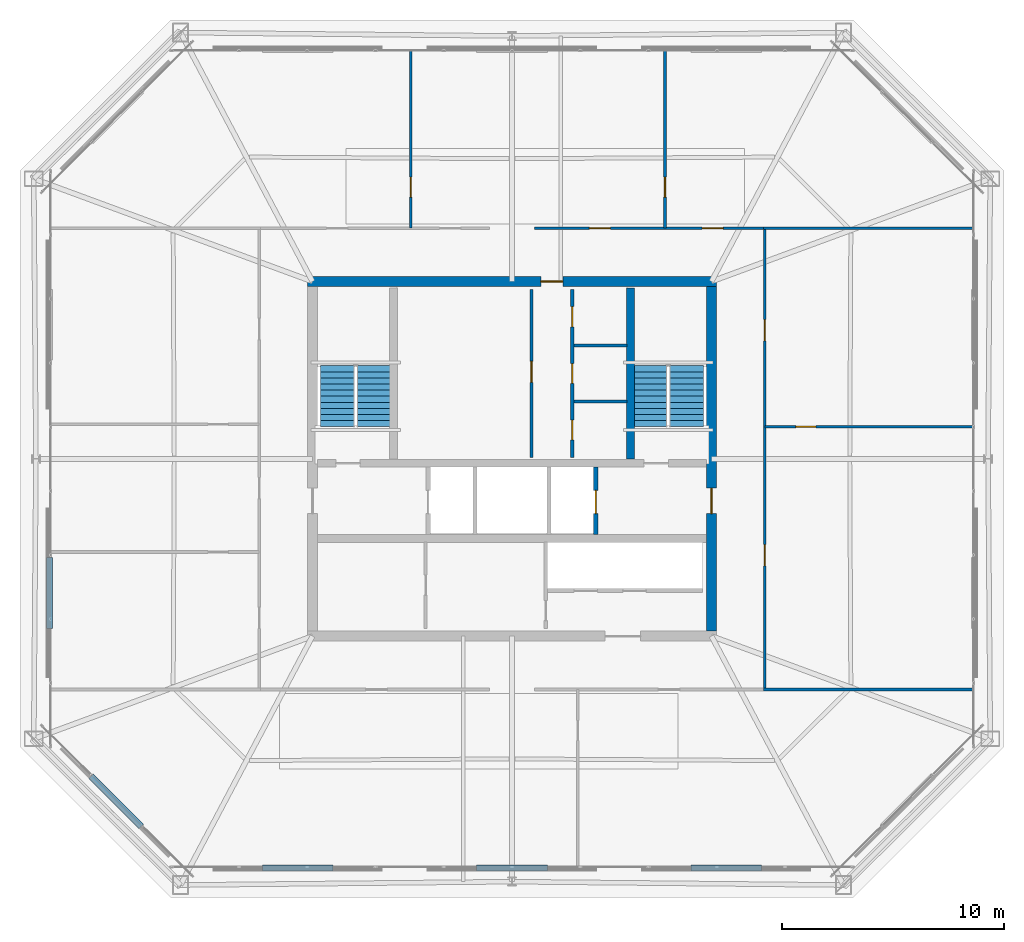
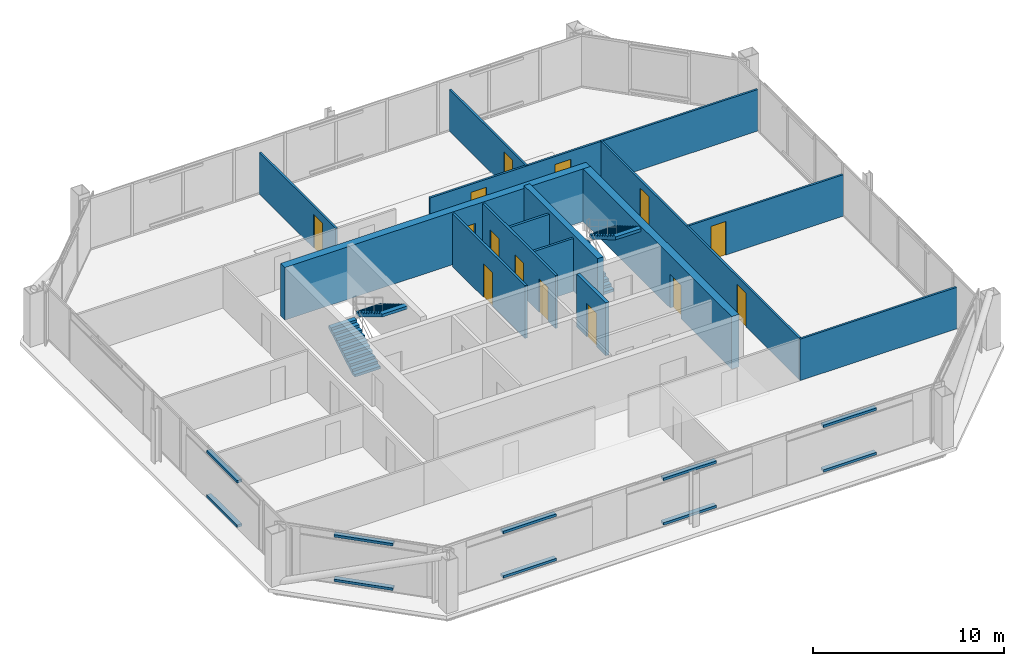
# One storey, part 36 of 39: 15 walls, 14 doors, 10 discrete accessories, 4 stair flights, 14 openings, 2 elements without a shape of their own.
"""IFC4 building model written with IfcOpenShell, lengths in metres."""

from ifc_helpers import new_model, si_unit, direction, frame, frame_2d, origin, origin_2d, place, context, subcontext, project, spatial, polyline, rectangle, outline, extrude, material, layer, layer_set, type_object, element, fill, aggregate, save


model = new_model("IFC4")

# Units and contexts
model_context = context("Model", 3, precision=1e-05, world=origin(), true_north=direction((0.0, 1.0)))
body_context = subcontext(model_context, "Body", "Model", "MODEL_VIEW")
ifc_project = project(units=[si_unit("LENGTHUNIT", "METRE"), si_unit("AREAUNIT", "SQUARE_METRE"), si_unit("VOLUMEUNIT", "CUBIC_METRE"), si_unit("PLANEANGLEUNIT", "RADIAN"), si_unit("MASSUNIT", "GRAM", prefix="KILO")], contexts=[model_context])

# Site, building, storey
site_placement = place(None, origin())
site = spatial("IfcSite", under=ifc_project, at=site_placement, CompositionType="ELEMENT")
building_placement = place(site_placement, origin())
building = spatial("IfcBuilding", under=site, at=building_placement, Name="Caelvoria Tower", CompositionType="ELEMENT")
storey_placement = place(building_placement, frame((0.0, 0.0, 198.60009765625)))
storey = spatial("IfcBuildingStorey", under=building, at=storey_placement, Name="L52", CompositionType="ELEMENT", Elevation=198.60009765625)

# Wall
ifc_material_1 = material(Name="Concrete C50/60", Category="concrete")
ifc_layer_1 = layer(ifc_material_1, 0.35009765625, Name="Concrete C50/60")
ifc_layer_set_1 = layer_set([ifc_layer_1], Name="Core Internal Shear Wall 350 - Concrete C50/60")
wall_type_1 = type_object("IfcWallType", Name="Core Internal Shear Wall 350", PredefinedType="SHEAR", material=ifc_layer_set_1)
wall_1_placement = place(storey_placement, frame((51.35009765625, 32.0, 0.0), z_axis=(0.0, 0.0, 1.0), x_axis=(0.0, 1.0, 0.0)))
element("IfcWall", 1, at=wall_1_placement, inside=storey, type_object=wall_type_1, Name="Interior Partition IW-L52-ST2W", PredefinedType="SHEAR", context=body_context, shape_type="SweptSolid", body=[
    extrude(rectangle(XDim=7.699951171875, YDim=0.35009765625, at=frame_2d((3.85009765625, 0.0))), origin(), (0.0, 0.0, 1.0), 3.599853515625),
])

# Wall, opening, door
ifc_material_2 = material(Name="Moisture-Resistant Gypsum on Steel Stud", Category="steel")
ifc_layer_2 = layer(ifc_material_2, 0.139892578125, Name="Moisture-Resistant Gypsum on Steel Stud")
ifc_layer_set_2 = layer_set([ifc_layer_2], Name="Core Sanitary Acoustic Partition Wall 140 - Moisture-Resistant Gypsum on Steel Stud")
wall_type_2 = type_object("IfcWallType", Name="Core Sanitary Acoustic Partition Wall 140", PredefinedType="PARTITIONING", material=ifc_layer_set_2)
wall_2_placement = place(storey_placement, frame((46.8798828125, 32.050048828125, 0.0), z_axis=(0.0, 0.0, 1.0), x_axis=(0.0, 1.0, 0.0)))
wall_2 = element("IfcWall", 2, at=wall_2_placement, inside=storey, type_object=wall_type_2, Name="Interior Partition IW-L52-C2L", PredefinedType="PARTITIONING", context=body_context, shape_type="SweptSolid", body=[
    extrude(rectangle(XDim=7.599853515625, YDim=0.139892578125, at=frame_2d((3.7998046875, 0.0))), origin(), (0.0, 0.0, 1.0), 3.375),
])
opening_1_placement = place(wall_2_placement, frame((3.39990234375, 0.0, 0.0)))
opening_1 = element("IfcOpeningElement", 3, at=opening_1_placement, cuts=wall_2, Name="Opening ID-05", PredefinedType="OPENING", context=body_context, shape_type="SweptSolid", body=[
    extrude(rectangle(XDim=0.949951171875, YDim=2.14990234375, at=frame_2d((0.47509765625, 1.074951171875))), frame((0.0, 0.079833984375, 0.0), z_axis=(0.0, -1.0, 0.0), x_axis=(1.0, 0.0, 0.0)), (0.0, 0.0, 1.0), 0.159912109375),
])
ifc_material_3 = material(Name="Engineered Andean Oak Veneer Door", Category="wood")
door_type_1 = type_object("IfcDoorType", Name="Interior Timber Door 950x2150", OperationType="NOTDEFINED", PredefinedType="DOOR", material=ifc_material_3)
door_1_placement = place(opening_1_placement, origin())
door_1 = element("IfcDoor", 4, at=door_1_placement, inside=storey, type_object=door_type_1, Name="Interior Door DR-L52-C2W", OperationType="SINGLE_SWING_LEFT", OverallHeight=2.14990234375, OverallWidth=0.949951171875, PredefinedType="DOOR", context=body_context, shape_type="SweptSolid", body=[
    extrude(rectangle(XDim=0.949951171875, YDim=2.14990234375, at=frame_2d((0.47509765625, 1.074951171875))), frame((0.0, 0.02490234375, 0.0), z_axis=(0.0, -1.0, 0.0), x_axis=(1.0, 0.0, 0.0)), (0.0, 0.0, 1.0), 0.050048828125),
])
fill(opening_1, door_1)

# Wall, openings, doors
wall_3_placement = place(storey_placement, frame((48.719970703125, 32.050048828125, 0.0), z_axis=(0.0, 0.0, 1.0), x_axis=(0.0, 1.0, 0.0)))
wall_3 = element("IfcWall", 5, at=wall_3_placement, inside=storey, type_object=wall_type_2, Name="Interior Partition IW-L52-C2R", PredefinedType="PARTITIONING", context=body_context, shape_type="SweptSolid", body=[
    extrude(rectangle(XDim=7.599853515625, YDim=0.139892578125, at=frame_2d((3.7998046875, 0.0))), origin(), (0.0, 0.0, 1.0), 3.375),
])
opening_2_placement = place(wall_3_placement, frame((0.800048828125, 0.0, 0.0)))
opening_2 = element("IfcOpeningElement", 6, at=opening_2_placement, cuts=wall_3, Name="Opening ID-04", PredefinedType="OPENING", context=body_context, shape_type="SweptSolid", body=[
    extrude(rectangle(XDim=0.89990234375, YDim=2.14990234375, at=frame_2d((0.449951171875, 1.074951171875))), frame((0.0, 0.079833984375, 0.0), z_axis=(0.0, -1.0, 0.0), x_axis=(1.0, 0.0, 0.0)), (0.0, 0.0, 1.0), 0.159912109375),
])
opening_3_placement = place(wall_3_placement, frame((3.35009765625, 0.0, 0.0)))
opening_3 = element("IfcOpeningElement", 7, at=opening_3_placement, cuts=wall_3, Name="Opening ID-06", PredefinedType="OPENING", context=body_context, shape_type="SweptSolid", body=[
    extrude(rectangle(XDim=0.89990234375, YDim=2.14990234375, at=frame_2d((0.449951171875, 1.074951171875))), frame((0.0, 0.079833984375, 0.0), z_axis=(0.0, -1.0, 0.0), x_axis=(1.0, 0.0, 0.0)), (0.0, 0.0, 1.0), 0.159912109375),
])
opening_4_placement = place(wall_3_placement, frame((5.89990234375, 0.0, 0.0)))
opening_4 = element("IfcOpeningElement", 8, at=opening_4_placement, cuts=wall_3, Name="Opening ID-07", PredefinedType="OPENING", context=body_context, shape_type="SweptSolid", body=[
    extrude(rectangle(XDim=0.919921875, YDim=2.14990234375, at=frame_2d((0.4599609375, 1.074951171875))), frame((0.0, 0.079833984375, 0.0), z_axis=(0.0, -1.0, 0.0), x_axis=(1.0, 0.0, 0.0)), (0.0, 0.0, 1.0), 0.159912109375),
])
ifc_material_4 = material(Name="Engineered Andean Oak Accessible Door", Category="wood")
door_type_2 = type_object("IfcDoorType", Name="Accessible WC Door 950x2150", OperationType="NOTDEFINED", PredefinedType="DOOR", material=ifc_material_4)
door_2_placement = place(opening_4_placement, origin())
door_2 = element("IfcDoor", 9, at=door_2_placement, inside=storey, type_object=door_type_2, Name="Interior Door DR-L52-C2E3", OperationType="SINGLE_SWING_RIGHT", OverallHeight=2.14990234375, OverallWidth=0.919921875, PredefinedType="DOOR", context=body_context, shape_type="SweptSolid", body=[
    extrude(rectangle(XDim=0.919921875, YDim=2.14990234375, at=frame_2d((0.4599609375, 1.074951171875))), frame((0.0, 0.02490234375, 0.0), z_axis=(0.0, -1.0, 0.0), x_axis=(1.0, 0.0, 0.0)), (0.0, 0.0, 1.0), 0.050048828125),
])
fill(opening_4, door_2)
ifc_material_5 = material(Name="Acoustic Timber Fire Door", Category="wood")
door_type_3 = type_object("IfcDoorType", Name="Fire Door FD30S 900x2150", OperationType="NOTDEFINED", PredefinedType="DOOR", material=ifc_material_5)
door_3_placement = place(opening_2_placement, origin())
door_3 = element("IfcDoor", 10, at=door_3_placement, inside=storey, type_object=door_type_3, Name="Interior Door DR-L52-C2E1", OperationType="SINGLE_SWING_RIGHT", OverallHeight=2.14990234375, OverallWidth=0.89990234375, PredefinedType="DOOR", context=body_context, shape_type="SweptSolid", body=[
    extrude(rectangle(XDim=0.89990234375, YDim=2.14990234375, at=frame_2d((0.449951171875, 1.074951171875))), frame((0.0, 0.02490234375, 0.0), z_axis=(0.0, -1.0, 0.0), x_axis=(1.0, 0.0, 0.0)), (0.0, 0.0, 1.0), 0.050048828125),
])
fill(opening_2, door_3)
door_type_4 = type_object("IfcDoorType", Name="Interior Timber Door 900x2150", OperationType="NOTDEFINED", PredefinedType="DOOR", material=ifc_material_3)
door_4_placement = place(opening_3_placement, origin())
door_4 = element("IfcDoor", 11, at=door_4_placement, inside=storey, type_object=door_type_4, Name="Interior Door DR-L52-C2E2", OperationType="SINGLE_SWING_LEFT", OverallHeight=2.14990234375, OverallWidth=0.89990234375, PredefinedType="DOOR", context=body_context, shape_type="SweptSolid", body=[
    extrude(rectangle(XDim=0.89990234375, YDim=2.14990234375, at=frame_2d((0.449951171875, 1.074951171875))), frame((0.0, 0.02490234375, 0.0), z_axis=(0.0, -1.0, 0.0), x_axis=(1.0, 0.0, 0.0)), (0.0, 0.0, 1.0), 0.050048828125),
])
fill(opening_3, door_4)

# Walls
for number, where, z_axis, x_axis, name in (
    (12, (48.800048828125, 34.580078125, 0.0), (0.0, 0.0, 1.0), (1.0, 0.0, 0.0), "Interior Partition IW-L52-C2H1"),
    (13, (48.800048828125, 37.1201171875, 0.0), (0.0, 0.0, 1.0), (1.0, 0.0, 0.0), "Interior Partition IW-L52-C2H2"),
):
    element("IfcWall", number, at=place(storey_placement, frame(where, z_axis=z_axis, x_axis=x_axis)), inside=storey, type_object=wall_type_2, Name=name, PredefinedType="PARTITIONING", context=body_context, shape_type="SweptSolid", body=[
        extrude(rectangle(XDim=2.39990234375, YDim=0.139892578125, at=frame_2d((1.199951171875, 0.0))), origin(), (0.0, 0.0, 1.0), 3.375),
    ])

# Wall, opening, door
ifc_material_6 = material(Name="Concrete Block and Fireboard Assembly", Category="concrete")
ifc_layer_3 = layer(ifc_material_6, 0.199951171875, Name="Concrete Block and Fireboard Assembly")
ifc_layer_set_3 = layer_set([ifc_layer_3], Name="Fire-Rated Shaft and Core Partition Wall 200 - Concrete Block and Fireboard Assembly")
wall_type_3 = type_object("IfcWallType", Name="Fire-Rated Shaft and Core Partition Wall 200", PredefinedType="PARTITIONING", material=ifc_layer_set_3)
wall_4_placement = place(storey_placement, frame((49.780029296875, 28.580078125, 0.0), z_axis=(0.0, 0.0, 1.0), x_axis=(0.0, 1.0, 0.0)))
wall_4 = element("IfcWall", 14, at=wall_4_placement, inside=storey, type_object=wall_type_3, Name="Interior Partition IW-L52-LF2E", PredefinedType="PARTITIONING", context=body_context, shape_type="SweptSolid", body=[
    extrude(rectangle(XDim=3.0400390625, YDim=0.199951171875, at=frame_2d((1.52001953125, 0.0))), origin(), (0.0, 0.0, 1.0), 3.375),
])
opening_5_placement = place(wall_4_placement, frame((0.949951171875, 0.0, 0.0)))
opening_5 = element("IfcOpeningElement", 15, at=opening_5_placement, cuts=wall_4, Name="Opening LD-01", PredefinedType="OPENING", context=body_context, shape_type="SweptSolid", body=[
    extrude(rectangle(XDim=1.050048828125, YDim=2.14990234375, at=frame_2d((0.52490234375, 1.074951171875))), frame((0.0, 0.10986328125, 0.0), z_axis=(0.0, -1.0, 0.0), x_axis=(1.0, 0.0, 0.0)), (0.0, 0.0, 1.0), 0.219970703125),
])
ifc_material_7 = material(Name="Brushed Bronze Stainless Sliding Landing Door", Category="aluminium")
door_type_5 = type_object("IfcDoorType", Name="Lift Landing Sliding Door 1100x2150", OperationType="NOTDEFINED", PredefinedType="DOOR", material=ifc_material_7)
door_5_placement = place(opening_5_placement, origin())
door_5 = element("IfcDoor", 16, at=door_5_placement, inside=storey, type_object=door_type_5, Name="Interior Door LD-L52-LF2", OperationType="SLIDING_TO_RIGHT", OverallHeight=2.14990234375, OverallWidth=1.050048828125, PredefinedType="DOOR", context=body_context, shape_type="SweptSolid", body=[
    extrude(rectangle(XDim=1.050048828125, YDim=2.14990234375, at=frame_2d((0.52490234375, 1.074951171875))), frame((0.0, 0.02490234375, 0.0), z_axis=(0.0, -1.0, 0.0), x_axis=(1.0, 0.0, 0.0)), (0.0, 0.0, 1.0), 0.050048828125),
])
fill(opening_5, door_5)

ifc_material_8 = material(Name="Acoustic Gypsum Board on Light-Gauge Stud", Category="gypsum")
ifc_layer_4 = layer(ifc_material_8, 0.1201171875, Name="Acoustic Gypsum Board on Light-Gauge Stud")
ifc_layer_set_4 = layer_set([ifc_layer_4], Name="Tenant Suite Acoustic Partition Wall 120 - Acoustic Gypsum Board on Light-Gauge Stud")
wall_type_4 = type_object("IfcWallType", Name="Tenant Suite Acoustic Partition Wall 120", PredefinedType="PARTITIONING", material=ifc_layer_set_4)
wall_5_placement = place(storey_placement, frame((41.427734375, 42.409912109375, 0.0), z_axis=(0.0, 0.0, 1.0), x_axis=(0.0, 1.0, 0.0)))
wall_5 = element("IfcWall", 17, at=wall_5_placement, inside=storey, type_object=wall_type_4, Name="Interior Partition IW-L52-ND-00-0", PredefinedType="PARTITIONING", context=body_context, shape_type="SweptSolid", body=[
    extrude(rectangle(XDim=8.010009765625, YDim=0.1201171875, at=frame_2d((4.0048828125, 0.0))), origin(), (0.0, 0.0, 1.0), 2.65478515625),
])
opening_6_placement = place(wall_5_placement, frame((1.39990234375, 0.0, 0.0)))
opening_6 = element("IfcOpeningElement", 18, at=opening_6_placement, cuts=wall_5, Name="Opening ID-06", PredefinedType="OPENING", context=body_context, shape_type="SweptSolid", body=[
    extrude(rectangle(XDim=0.89990234375, YDim=2.14990234375, at=frame_2d((0.449951171875, 1.074951171875))), frame((0.0, 0.070068359375, 0.0), z_axis=(0.0, -1.0, 0.0), x_axis=(1.0, 0.0, 0.0)), (0.0, 0.0, 1.0), 0.14013671875),
])
door_6_placement = place(opening_6_placement, origin())
door_6 = element("IfcDoor", 19, at=door_6_placement, inside=storey, type_object=door_type_4, Name="Interior Door DR-L52-NM-00-0", OperationType="SINGLE_SWING_RIGHT", OverallHeight=2.14990234375, OverallWidth=0.89990234375, PredefinedType="DOOR", context=body_context, shape_type="SweptSolid", body=[
    extrude(rectangle(XDim=0.89990234375, YDim=2.14990234375, at=frame_2d((0.449951171875, 1.074951171875))), frame((0.0, 0.02490234375, 0.0), z_axis=(0.0, -1.0, 0.0), x_axis=(1.0, 0.0, 0.0)), (0.0, 0.0, 1.0), 0.050048828125),
])
fill(opening_6, door_6)

wall_6_placement = place(storey_placement, frame((52.9033203125, 42.409912109375, 0.0), z_axis=(0.0, 0.0, 1.0), x_axis=(0.0, 1.0, 0.0)))
wall_6 = element("IfcWall", 20, at=wall_6_placement, inside=storey, type_object=wall_type_4, Name="Interior Partition IW-L52-ND-02-0", PredefinedType="PARTITIONING", context=body_context, shape_type="SweptSolid", body=[
    extrude(rectangle(XDim=8.010009765625, YDim=0.1201171875, at=frame_2d((4.0048828125, 0.0))), origin(), (0.0, 0.0, 1.0), 2.65478515625),
])
opening_7_placement = place(wall_6_placement, frame((1.39990234375, 0.0, 0.0)))
opening_7 = element("IfcOpeningElement", 21, at=opening_7_placement, cuts=wall_6, Name="Opening ID-06", PredefinedType="OPENING", context=body_context, shape_type="SweptSolid", body=[
    extrude(rectangle(XDim=0.89990234375, YDim=2.14990234375, at=frame_2d((0.449951171875, 1.074951171875))), frame((0.0, 0.070068359375, 0.0), z_axis=(0.0, -1.0, 0.0), x_axis=(1.0, 0.0, 0.0)), (0.0, 0.0, 1.0), 0.14013671875),
])
door_7_placement = place(opening_7_placement, origin())
door_7 = element("IfcDoor", 22, at=door_7_placement, inside=storey, type_object=door_type_4, Name="Interior Door DR-L52-NM-02-0", OperationType="SINGLE_SWING_RIGHT", OverallHeight=2.14990234375, OverallWidth=0.89990234375, PredefinedType="DOOR", context=body_context, shape_type="SweptSolid", body=[
    extrude(rectangle(XDim=0.89990234375, YDim=2.14990234375, at=frame_2d((0.449951171875, 1.074951171875))), frame((0.0, 0.02490234375, 0.0), z_axis=(0.0, -1.0, 0.0), x_axis=(1.0, 0.0, 0.0)), (0.0, 0.0, 1.0), 0.050048828125),
])
fill(opening_7, door_7)

# Wall, openings, doors
wall_7_placement = place(storey_placement, frame((47.02001953125, 42.409912109375, 0.0), z_axis=(0.0, 0.0, 1.0), x_axis=(1.0, 0.0, 0.0)))
wall_7 = element("IfcWall", 23, at=wall_7_placement, inside=storey, type_object=wall_type_4, Name="Interior Partition IW-L52-NCW-1", PredefinedType="PARTITIONING", context=body_context, shape_type="SweptSolid", body=[
    extrude(rectangle(XDim=10.330078125, YDim=0.1201171875, at=frame_2d((5.1650390625, 0.0))), origin(), (0.0, 0.0, 1.0), 2.65478515625),
])
opening_8_placement = place(wall_7_placement, frame((2.466796875, 0.0, 0.0)))
opening_8 = element("IfcOpeningElement", 24, at=opening_8_placement, cuts=wall_7, Name="Opening ID-05", PredefinedType="OPENING", context=body_context, shape_type="SweptSolid", body=[
    extrude(rectangle(XDim=0.949951171875, YDim=2.14990234375, at=frame_2d((0.47509765625, 1.074951171875))), frame((0.0, 0.070068359375, 0.0), z_axis=(0.0, -1.0, 0.0), x_axis=(1.0, 0.0, 0.0)), (0.0, 0.0, 1.0), 0.14013671875),
])
opening_9_placement = place(wall_7_placement, frame((7.561767578125, 0.0, 0.0)))
opening_9 = element("IfcOpeningElement", 25, at=opening_9_placement, cuts=wall_7, Name="Opening ID-05", PredefinedType="OPENING", context=body_context, shape_type="SweptSolid", body=[
    extrude(rectangle(XDim=0.949951171875, YDim=2.14990234375, at=frame_2d((0.47509765625, 1.074951171875))), frame((0.0, 0.070068359375, 0.0), z_axis=(0.0, -1.0, 0.0), x_axis=(1.0, 0.0, 0.0)), (0.0, 0.0, 1.0), 0.14013671875),
])
door_8_placement = place(opening_8_placement, origin())
door_8 = element("IfcDoor", 26, at=door_8_placement, inside=storey, type_object=door_type_1, Name="Interior Door DR-L52-NC-02-0", OperationType="SINGLE_SWING_LEFT", OverallHeight=2.14990234375, OverallWidth=0.949951171875, PredefinedType="DOOR", context=body_context, shape_type="SweptSolid", body=[
    extrude(rectangle(XDim=0.949951171875, YDim=2.14990234375, at=frame_2d((0.47509765625, 1.074951171875))), frame((0.0, 0.02490234375, 0.0), z_axis=(0.0, -1.0, 0.0), x_axis=(1.0, 0.0, 0.0)), (0.0, 0.0, 1.0), 0.050048828125),
])
fill(opening_8, door_8)
door_9_placement = place(opening_9_placement, origin())
door_9 = element("IfcDoor", 27, at=door_9_placement, inside=storey, type_object=door_type_1, Name="Interior Door DR-L52-NC-03-0", OperationType="SINGLE_SWING_RIGHT", OverallHeight=2.14990234375, OverallWidth=0.949951171875, PredefinedType="DOOR", context=body_context, shape_type="SweptSolid", body=[
    extrude(rectangle(XDim=0.949951171875, YDim=2.14990234375, at=frame_2d((0.47509765625, 1.074951171875))), frame((0.0, 0.02490234375, 0.0), z_axis=(0.0, -1.0, 0.0), x_axis=(1.0, 0.0, 0.0)), (0.0, 0.0, 1.0), 0.050048828125),
])
fill(opening_9, door_9)

# Wall, opening, door
wall_8_placement = place(storey_placement, frame((57.409912109375, 33.44921875, 0.0), z_axis=(0.0, 0.0, 1.0), x_axis=(1.0, 0.0, 0.0)))
wall_8 = element("IfcWall", 28, at=wall_8_placement, inside=storey, type_object=wall_type_4, Name="Interior Partition IW-L52-ED-00-0", PredefinedType="PARTITIONING", context=body_context, shape_type="SweptSolid", body=[
    extrude(rectangle(XDim=9.41015625, YDim=0.1201171875, at=frame_2d((4.705078125, 0.0))), origin(), (0.0, 0.0, 1.0), 2.65478515625),
])
opening_10_placement = place(wall_8_placement, frame((1.39990234375, 0.0, 0.0)))
opening_10 = element("IfcOpeningElement", 29, at=opening_10_placement, cuts=wall_8, Name="Opening ID-06", PredefinedType="OPENING", context=body_context, shape_type="SweptSolid", body=[
    extrude(rectangle(XDim=0.89990234375, YDim=2.14990234375, at=frame_2d((0.449951171875, 1.074951171875))), frame((0.0, 0.070068359375, 0.0), z_axis=(0.0, -1.0, 0.0), x_axis=(1.0, 0.0, 0.0)), (0.0, 0.0, 1.0), 0.14013671875),
])
door_10_placement = place(opening_10_placement, origin())
door_10 = element("IfcDoor", 30, at=door_10_placement, inside=storey, type_object=door_type_4, Name="Interior Door DR-L52-EM-00-0", OperationType="SINGLE_SWING_RIGHT", OverallHeight=2.14990234375, OverallWidth=0.89990234375, PredefinedType="DOOR", context=body_context, shape_type="SweptSolid", body=[
    extrude(rectangle(XDim=0.89990234375, YDim=2.14990234375, at=frame_2d((0.449951171875, 1.074951171875))), frame((0.0, 0.02490234375, 0.0), z_axis=(0.0, -1.0, 0.0), x_axis=(1.0, 0.0, 0.0)), (0.0, 0.0, 1.0), 0.050048828125),
])
fill(opening_10, door_10)

# Wall, openings, doors
wall_9_placement = place(storey_placement, frame((57.409912109375, 21.64990234375, 0.0), z_axis=(0.0, 0.0, 1.0), x_axis=(0.0, 1.0, 0.0)))
wall_9 = element("IfcWall", 31, at=wall_9_placement, inside=storey, type_object=wall_type_4, Name="Interior Partition IW-L52-ECW-0", PredefinedType="PARTITIONING", context=body_context, shape_type="SweptSolid", body=[
    extrude(rectangle(XDim=20.7001953125, YDim=0.1201171875, at=frame_2d((10.35009765625, 0.0))), origin(), (0.0, 0.0, 1.0), 2.65478515625),
])
opening_11_placement = place(wall_9_placement, frame((5.524658203125, 0.0, 0.0)))
opening_11 = element("IfcOpeningElement", 32, at=opening_11_placement, cuts=wall_9, Name="Opening ID-05", PredefinedType="OPENING", context=body_context, shape_type="SweptSolid", body=[
    extrude(rectangle(XDim=0.949951171875, YDim=2.14990234375, at=frame_2d((0.47509765625, 1.074951171875))), frame((0.0, 0.070068359375, 0.0), z_axis=(0.0, -1.0, 0.0), x_axis=(1.0, 0.0, 0.0)), (0.0, 0.0, 1.0), 0.14013671875),
])
opening_12_placement = place(wall_9_placement, frame((15.6748046875, 0.0, 0.0)))
opening_12 = element("IfcOpeningElement", 33, at=opening_12_placement, cuts=wall_9, Name="Opening ID-05", PredefinedType="OPENING", context=body_context, shape_type="SweptSolid", body=[
    extrude(rectangle(XDim=0.949951171875, YDim=2.14990234375, at=frame_2d((0.47509765625, 1.074951171875))), frame((0.0, 0.070068359375, 0.0), z_axis=(0.0, -1.0, 0.0), x_axis=(1.0, 0.0, 0.0)), (0.0, 0.0, 1.0), 0.14013671875),
])
door_11_placement = place(opening_11_placement, origin())
door_11 = element("IfcDoor", 34, at=door_11_placement, inside=storey, type_object=door_type_1, Name="Interior Door DR-L52-EC-00-0", OperationType="SINGLE_SWING_LEFT", OverallHeight=2.14990234375, OverallWidth=0.949951171875, PredefinedType="DOOR", context=body_context, shape_type="SweptSolid", body=[
    extrude(rectangle(XDim=0.949951171875, YDim=2.14990234375, at=frame_2d((0.47509765625, 1.074951171875))), frame((0.0, 0.02490234375, 0.0), z_axis=(0.0, -1.0, 0.0), x_axis=(1.0, 0.0, 0.0)), (0.0, 0.0, 1.0), 0.050048828125),
])
fill(opening_11, door_11)
door_12_placement = place(opening_12_placement, origin())
door_12 = element("IfcDoor", 35, at=door_12_placement, inside=storey, type_object=door_type_1, Name="Interior Door DR-L52-EC-01-0", OperationType="SINGLE_SWING_RIGHT", OverallHeight=2.14990234375, OverallWidth=0.949951171875, PredefinedType="DOOR", context=body_context, shape_type="SweptSolid", body=[
    extrude(rectangle(XDim=0.949951171875, YDim=2.14990234375, at=frame_2d((0.47509765625, 1.074951171875))), frame((0.0, 0.02490234375, 0.0), z_axis=(0.0, -1.0, 0.0), x_axis=(1.0, 0.0, 0.0)), (0.0, 0.0, 1.0), 0.050048828125),
])
fill(opening_12, door_12)

# Walls
for number, where, z_axis, x_axis, name in (
    (36, (57.35009765625, 21.590087890625, 0.0), (0.0, 0.0, 1.0), (1.0, 0.0, 0.0), "Interior Partition IW-L52-BSE-0"),
    (37, (57.35009765625, 42.409912109375, 0.0), (0.0, 0.0, 1.0), (1.0, 0.0, 0.0), "Interior Partition IW-L52-BNE-0"),
):
    element("IfcWall", number, at=place(storey_placement, frame(where, z_axis=z_axis, x_axis=x_axis)), inside=storey, type_object=wall_type_4, Name=name, PredefinedType="PARTITIONING", context=body_context, shape_type="SweptSolid", body=[
        extrude(rectangle(XDim=9.469970703125, YDim=0.1201171875, at=frame_2d((4.73486328125, 0.0))), origin(), (0.0, 0.0, 1.0), 2.65478515625),
    ])

# Wall, opening, door
ifc_layer_5 = layer(ifc_material_1, 0.449951171875, Name="Concrete C50/60")
ifc_layer_set_5 = layer_set([ifc_layer_5], Name="Upper Core Shear Wall 450 - Concrete C50/60")
wall_type_5 = type_object("IfcWallType", Name="Upper Core Shear Wall 450", PredefinedType="SHEAR", material=ifc_layer_set_5)
wall_10_placement = place(storey_placement, frame((36.77490234375, 40.0, 0.0), z_axis=(0.0, 0.0, 1.0), x_axis=(1.0, 0.0, 0.0)))
wall_10 = element("IfcWall", 38, at=wall_10_placement, inside=storey, type_object=wall_type_5, Name="Core Shear Wall L52 N", PredefinedType="SHEAR", context=body_context, shape_type="SweptSolid", body=[
    extrude(rectangle(XDim=18.4501953125, YDim=0.449951171875, at=frame_2d((9.22509765625, 0.0))), origin(), (0.0, 0.0, 1.0), 3.35986328125),
])
opening_13_placement = place(wall_10_placement, frame((10.52490234375, 0.0, 0.0)))
opening_13 = element("IfcOpeningElement", 39, at=opening_13_placement, cuts=wall_10, Name="Opening ID-03", PredefinedType="OPENING", context=body_context, shape_type="SweptSolid", body=[
    extrude(rectangle(XDim=1.0, YDim=2.14990234375, at=frame_2d((0.5, 1.074951171875))), frame((0.0, 0.23486328125, 0.0), z_axis=(0.0, -1.0, 0.0), x_axis=(1.0, 0.0, 0.0)), (0.0, 0.0, 1.0), 0.469970703125),
])
ifc_material_9 = material(Name="Painted Hollow Steel Fire Door", Category="steel")
door_type_6 = type_object("IfcDoorType", Name="Fire Door FD60S 1000x2150", OperationType="NOTDEFINED", PredefinedType="DOOR", material=ifc_material_9)
door_13_placement = place(opening_13_placement, origin())
door_13 = element("IfcDoor", 40, at=door_13_placement, inside=storey, type_object=door_type_6, Name="Core Door DR-L52-WC-MAIN", OperationType="SINGLE_SWING_RIGHT", OverallHeight=2.14990234375, OverallWidth=1.0, PredefinedType="DOOR", context=body_context, shape_type="SweptSolid", body=[
    extrude(rectangle(XDim=1.0, YDim=2.14990234375, at=frame_2d((0.5, 1.074951171875))), frame((0.0, 0.02490234375, 0.0), z_axis=(0.0, -1.0, 0.0), x_axis=(1.0, 0.0, 0.0)), (0.0, 0.0, 1.0), 0.050048828125),
])
fill(opening_13, door_13)

wall_11_placement = place(storey_placement, frame((55.0, 24.22509765625, 0.0), z_axis=(0.0, 0.0, 1.0), x_axis=(0.0, 1.0, 0.0)))
wall_11 = element("IfcWall", 41, at=wall_11_placement, inside=storey, type_object=wall_type_5, Name="Core Shear Wall L52 E", PredefinedType="SHEAR", context=body_context, shape_type="SweptSolid", body=[
    extrude(rectangle(XDim=15.5498046875, YDim=0.449951171875, at=frame_2d((7.77490234375, 0.0))), origin(), (0.0, 0.0, 1.0), 3.35986328125),
])
opening_14_placement = place(wall_11_placement, frame((5.300048828125, 0.0, 0.0)))
opening_14 = element("IfcOpeningElement", 42, at=opening_14_placement, cuts=wall_11, Name="Opening ID-02", PredefinedType="OPENING", context=body_context, shape_type="SweptSolid", body=[
    extrude(rectangle(XDim=1.14990234375, YDim=2.14990234375, at=frame_2d((0.574951171875, 1.074951171875))), frame((0.0, 0.23486328125, 0.0), z_axis=(0.0, -1.0, 0.0), x_axis=(1.0, 0.0, 0.0)), (0.0, 0.0, 1.0), 0.469970703125),
])
door_type_7 = type_object("IfcDoorType", Name="Fire Door FD60S 1150x2150", OperationType="NOTDEFINED", PredefinedType="DOOR", material=ifc_material_9)
door_14_placement = place(opening_14_placement, origin())
door_14 = element("IfcDoor", 43, at=door_14_placement, inside=storey, type_object=door_type_7, Name="Core Door DR-L52-FFLE-OUT", OperationType="SINGLE_SWING_RIGHT", OverallHeight=2.14990234375, OverallWidth=1.14990234375, PredefinedType="DOOR", context=body_context, shape_type="SweptSolid", body=[
    extrude(rectangle(XDim=1.14990234375, YDim=2.14990234375, at=frame_2d((0.574951171875, 1.074951171875))), frame((0.0, 0.02490234375, 0.0), z_axis=(0.0, -1.0, 0.0), x_axis=(1.0, 0.0, 0.0)), (0.0, 0.0, 1.0), 0.050048828125),
])
fill(opening_14, door_14)

# Stair, stair flights
ifc_material_10 = material(Name="Concrete C40/50", Category="concrete")
stair_type = type_object("IfcStairType", Name="Core Smokeproof Dogleg Stair Concrete C40/50", PredefinedType="HALF_TURN_STAIR", material=ifc_material_10)
stair_1_placement = place(storey_placement, origin())
stair_1 = element("IfcStair", 44, at=stair_1_placement, inside=storey, type_object=stair_type, Name="ST-01 Smokeproof Exit Stair L52", PredefinedType="HALF_TURN_STAIR")
ifc_material_11 = material(Name="Precast Concrete C40/50", Category="concrete")
stair_flight_type = type_object("IfcStairFlightType", Name="Precast Concrete C40/50 Stair Flight 1480", PredefinedType="STRAIGHT", material=ifc_material_11)
stair_flight_1_placement = place(storey_placement, frame((38.1298828125, 33.449951171875, 0.0), z_axis=(0.0, 0.0, 1.0), x_axis=(0.0, 1.0, 0.0)))
stair_flight_1 = element("IfcStairFlight", 45, at=stair_flight_1_placement, type_object=stair_flight_type, Name="ST-01 flight 1", NumberOfRisers=11, NumberOfTreads=10, PredefinedType="STRAIGHT", RiserHeight=0.1636, TreadLength=0.275, context=body_context, shape_type="SweptSolid", body=[
    extrude(outline(polyline([(0.0, 0.0), (0.0, 0.16357421875), (0.27490234375, 0.16357421875), (0.27490234375, 0.3271484375), (0.550048828125, 0.3271484375), (0.550048828125, 0.49072265625), (0.824951171875, 0.49072265625), (0.824951171875, 0.654296875), (1.10009765625, 0.654296875), (1.10009765625, 0.818115234375), (1.375, 0.818115234375), (1.375, 0.981689453125), (1.64990234375, 0.981689453125), (1.64990234375, 1.145263671875), (1.925048828125, 1.145263671875), (1.925048828125, 1.308837890625), (2.199951171875, 1.308837890625), (2.199951171875, 1.472412109375), (2.47509765625, 1.472412109375), (2.47509765625, 1.635986328125), (2.75, 1.635986328125), (2.75, 1.799560546875), (2.75, 1.449951171875), (0.312744140625, 0.0), (0.0, 0.0)])), frame((0.0, 0.77001953125, 0.0), z_axis=(0.0, -1.0, 0.0), x_axis=(1.0, 0.0, 0.0)), (0.0, 0.0, 1.0), 1.5400390625),
])
stair_flight_2_placement = place(storey_placement, frame((39.77001953125, 36.199951171875, 1.7998046875), z_axis=(0.0, 0.0, 1.0), x_axis=(0.0, -1.0, 0.0)))
stair_flight_2 = element("IfcStairFlight", 46, at=stair_flight_2_placement, type_object=stair_flight_type, Name="ST-01 flight 2", NumberOfRisers=11, NumberOfTreads=10, PredefinedType="STRAIGHT", RiserHeight=0.1636, TreadLength=0.275, context=body_context, shape_type="SweptSolid", body=[
    extrude(outline(polyline([(0.0, 0.0), (0.0, 0.16357421875), (0.27490234375, 0.16357421875), (0.27490234375, 0.3271484375), (0.550048828125, 0.3271484375), (0.550048828125, 0.49072265625), (0.824951171875, 0.49072265625), (0.824951171875, 0.654296875), (1.10009765625, 0.654296875), (1.10009765625, 0.818115234375), (1.375, 0.818115234375), (1.375, 0.981689453125), (1.64990234375, 0.981689453125), (1.64990234375, 1.145263671875), (1.925048828125, 1.145263671875), (1.925048828125, 1.308837890625), (2.199951171875, 1.308837890625), (2.199951171875, 1.472412109375), (2.47509765625, 1.472412109375), (2.47509765625, 1.635986328125), (2.75, 1.635986328125), (2.75, 1.799560546875), (2.75, 1.449951171875), (0.312744140625, 0.0), (0.0, 0.0)])), frame((0.0, 0.77001953125, 0.0), z_axis=(0.0, -1.0, 0.0), x_axis=(1.0, 0.0, 0.0)), (0.0, 0.0, 1.0), 1.5400390625),
])
aggregate(stair_1, [stair_flight_1, stair_flight_2])

stair_2_placement = place(storey_placement, origin())
stair_2 = element("IfcStair", 47, at=stair_2_placement, inside=storey, type_object=stair_type, Name="ST-02 Smokeproof Exit Stair L52", PredefinedType="HALF_TURN_STAIR")
stair_flight_3_placement = place(storey_placement, frame((52.22998046875, 33.449951171875, 0.0), z_axis=(0.0, 0.0, 1.0), x_axis=(0.0, 1.0, 0.0)))
stair_flight_3 = element("IfcStairFlight", 48, at=stair_flight_3_placement, type_object=stair_flight_type, Name="ST-02 flight 1", NumberOfRisers=11, NumberOfTreads=10, PredefinedType="STRAIGHT", RiserHeight=0.1636, TreadLength=0.275, context=body_context, shape_type="SweptSolid", body=[
    extrude(outline(polyline([(0.0, 0.0), (0.0, 0.16357421875), (0.27490234375, 0.16357421875), (0.27490234375, 0.3271484375), (0.550048828125, 0.3271484375), (0.550048828125, 0.49072265625), (0.824951171875, 0.49072265625), (0.824951171875, 0.654296875), (1.10009765625, 0.654296875), (1.10009765625, 0.818115234375), (1.375, 0.818115234375), (1.375, 0.981689453125), (1.64990234375, 0.981689453125), (1.64990234375, 1.145263671875), (1.925048828125, 1.145263671875), (1.925048828125, 1.308837890625), (2.199951171875, 1.308837890625), (2.199951171875, 1.472412109375), (2.47509765625, 1.472412109375), (2.47509765625, 1.635986328125), (2.75, 1.635986328125), (2.75, 1.799560546875), (2.75, 1.449951171875), (0.312744140625, 0.0), (0.0, 0.0)])), frame((0.0, 0.77001953125, 0.0), z_axis=(0.0, -1.0, 0.0), x_axis=(1.0, 0.0, 0.0)), (0.0, 0.0, 1.0), 1.5400390625),
])
stair_flight_4_placement = place(storey_placement, frame((53.8701171875, 36.199951171875, 1.7998046875), z_axis=(0.0, 0.0, 1.0), x_axis=(0.0, -1.0, 0.0)))
stair_flight_4 = element("IfcStairFlight", 49, at=stair_flight_4_placement, type_object=stair_flight_type, Name="ST-02 flight 2", NumberOfRisers=11, NumberOfTreads=10, PredefinedType="STRAIGHT", RiserHeight=0.1636, TreadLength=0.275, context=body_context, shape_type="SweptSolid", body=[
    extrude(outline(polyline([(0.0, 0.0), (0.0, 0.16357421875), (0.27490234375, 0.16357421875), (0.27490234375, 0.3271484375), (0.550048828125, 0.3271484375), (0.550048828125, 0.49072265625), (0.824951171875, 0.49072265625), (0.824951171875, 0.654296875), (1.10009765625, 0.654296875), (1.10009765625, 0.818115234375), (1.375, 0.818115234375), (1.375, 0.981689453125), (1.64990234375, 0.981689453125), (1.64990234375, 1.145263671875), (1.925048828125, 1.145263671875), (1.925048828125, 1.308837890625), (2.199951171875, 1.308837890625), (2.199951171875, 1.472412109375), (2.47509765625, 1.472412109375), (2.47509765625, 1.635986328125), (2.75, 1.635986328125), (2.75, 1.799560546875), (2.75, 1.449951171875), (0.312744140625, 0.0), (0.0, 0.0)])), frame((0.0, 0.77001953125, 0.0), z_axis=(0.0, -1.0, 0.0), x_axis=(1.0, 0.0, 0.0)), (0.0, 0.0, 1.0), 1.5400390625),
])
aggregate(stair_2, [stair_flight_3, stair_flight_4])

# Discrete accessories
ifc_material_12 = material(Name="Anodised Bronze Stainless Bracket", Category="bronze")
discrete_accessory_type = type_object("IfcDiscreteAccessoryType", Name="Solar Screen Outrigger Support Bracket", PredefinedType="BRACKET", material=ifc_material_12)
for number, where, z_axis, x_axis, name in (
    (50, (36.333251953125, 13.530517578125, 0.23974609375), (0.0, 0.0, 1.0), (1.0, 0.0, 0.0), "Solar Screen Bracket L52-E0-00"),
    (51, (36.333251953125, 13.530517578125, 3.07470703125), (0.0, 0.0, 1.0), (1.0, 0.0, 0.0), "Upper Screen Band Bracket L52-E0-00"),
    (52, (46.0, 13.530517578125, 0.23974609375), (0.0, 0.0, 1.0), (1.0, 0.0, 0.0), "Solar Screen Bracket L52-E0-01"),
    (53, (46.0, 13.530517578125, 3.07470703125), (0.0, 0.0, 1.0), (1.0, 0.0, 0.0), "Upper Screen Band Bracket L52-E0-01"),
    (54, (55.666748046875, 13.530517578125, 0.23974609375), (0.0, 0.0, 1.0), (1.0, 0.0, 0.0), "Solar Screen Bracket L52-E0-02"),
    (55, (55.666748046875, 13.530517578125, 3.07470703125), (0.0, 0.0, 1.0), (1.0, 0.0, 0.0), "Upper Screen Band Bracket L52-E0-02"),
    (56, (25.130615234375, 25.949951171875, 0.23974609375), (0.0, 0.0, 1.0), (0.0, -1.0, 0.0), "Solar Screen Bracket L52-E6-01"),
    (57, (25.130615234375, 25.949951171875, 3.07470703125), (0.0, 0.0, 1.0), (0.0, -1.0, 0.0), "Upper Screen Band Bracket L52-E6-01"),
    (58, (28.140869140625, 16.540771484375, 0.23974609375), (0.0, 0.0, 1.0), (0.707106781187, -0.707106781187, 0.0), "Solar Screen Bracket L52-E7-00"),
    (59, (28.140869140625, 16.540771484375, 3.07470703125), (0.0, 0.0, 1.0), (0.707106781187, -0.707106781187, 0.0), "Upper Screen Band Bracket L52-E7-00"),
):
    element("IfcDiscreteAccessory", number, at=place(storey_placement, frame(where, z_axis=z_axis, x_axis=x_axis)), inside=storey, type_object=discrete_accessory_type, Name=name, PredefinedType="BRACKET", context=body_context, shape_type="SweptSolid", body=[
        extrude(rectangle(XDim=3.199951171875, YDim=0.280029296875, at=origin_2d()), origin(), (0.0, 0.0, 1.0), 0.159912109375),
    ])

save(model, "model.ifc")
